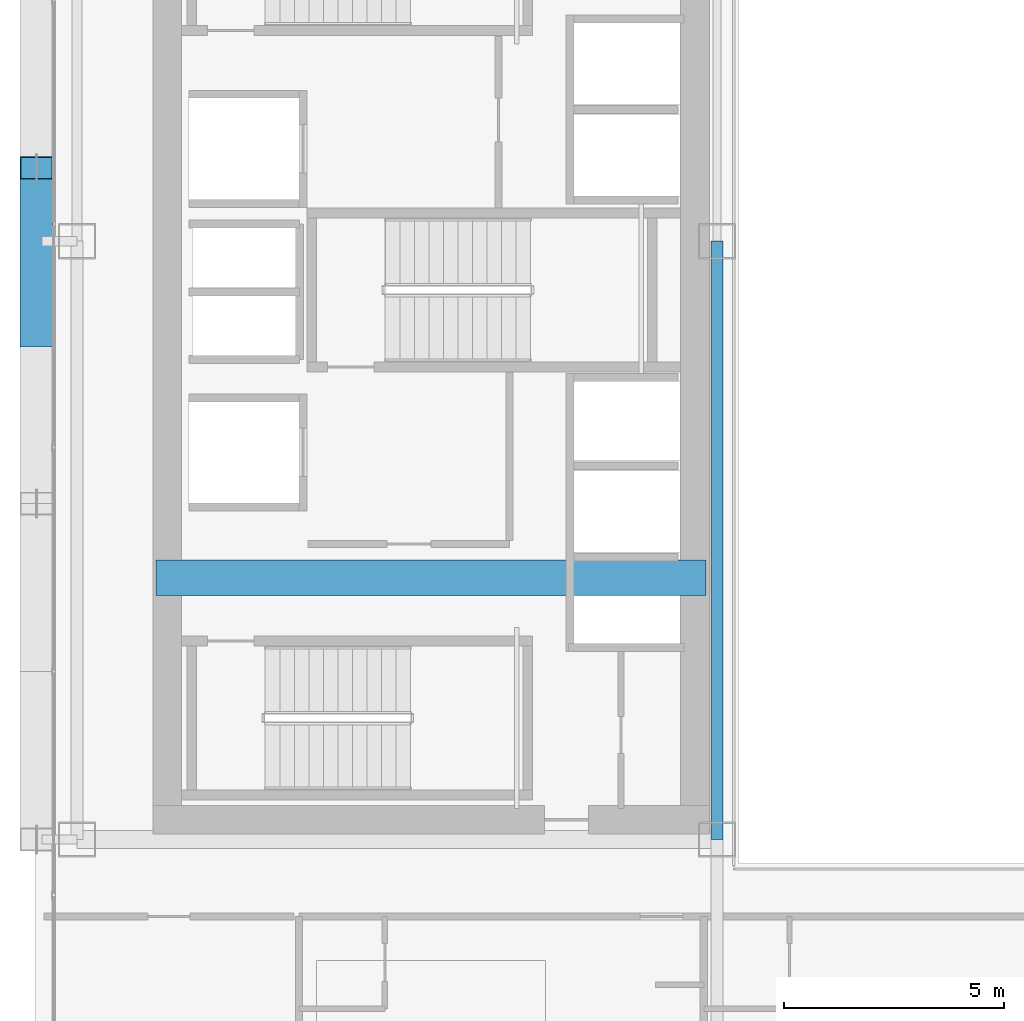
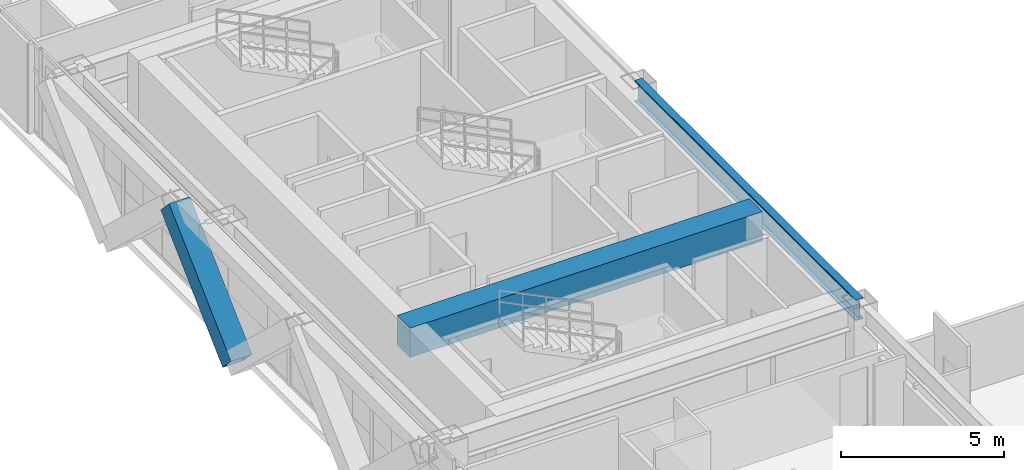
# One storey, part 7 of 35: 2 beams, 1 member.
"""IFC4 building model written with IfcOpenShell, lengths in metres."""

from ifc_helpers import new_model, si_unit, direction, frame, origin, origin_2d, place, context, subcontext, project, spatial, rectangle, hollow_rectangle, i_section, extrude, source, transform, mapped, material, material_profile, profile_set, type_object, element, save


model = new_model("IFC4")

# Units and contexts
model_context = context("Model", 3, precision=1e-05, world=origin(), true_north=direction((0.0, 1.0)))
body_context = subcontext(model_context, "Body", "Model", "MODEL_VIEW")
ifc_project = project(units=[si_unit("LENGTHUNIT", "METRE"), si_unit("AREAUNIT", "SQUARE_METRE"), si_unit("VOLUMEUNIT", "CUBIC_METRE"), si_unit("PLANEANGLEUNIT", "RADIAN"), si_unit("MASSUNIT", "GRAM", prefix="KILO")], contexts=[model_context])

# Site, building, storey
site_placement = place(None, origin())
site = spatial("IfcSite", under=ifc_project, at=site_placement, CompositionType="ELEMENT")
building_placement = place(site_placement, origin())
building = spatial("IfcBuilding", under=site, at=building_placement, Name="Ocotamira Hotel", CompositionType="ELEMENT")
storey_placement = place(building_placement, frame((0.0, 0.0, 115.199951171875)))
storey = spatial("IfcBuildingStorey", under=building, at=storey_placement, Name="L28", CompositionType="ELEMENT", Elevation=115.199951171875)

# Beams
ifc_material_1 = material(Name="Concrete C60/75", Category="concrete")
ifc_material_profile_1 = material_profile(ifc_material_1, rectangle(XDim=0.800048828125, YDim=1.10009765625, at=origin_2d()), Name="RC800X1100")
ifc_profile_set_1 = profile_set([ifc_material_profile_1], Name="Concrete C60/75")
beam_type_1 = type_object("IfcBeamType", Name="BM-LINK-RC800", PredefinedType="LINTEL", material=ifc_profile_set_1)
shared_shape_1 = source(origin(), body_context, "Body", "SweptSolid", [
    extrude(rectangle(XDim=0.800048828125, YDim=1.10009765625, at=origin_2d()), origin(), (0.0, 0.0, 1.0), 12.5),
])
beam_1_placement = place(storey_placement, frame((10.75, 20.5, 2.81005859375), z_axis=(1.0, 0.0, 0.0), x_axis=(0.0, 1.0, 0.0)))
element("IfcBeam", 1, at=beam_1_placement, inside=storey, type_object=beam_type_1, Name="L28 West Core Coupling Beam", PredefinedType="LINTEL", context=body_context, shape_type="MappedRepresentation", body=[
    mapped(shared_shape_1, transform((0.0, 0.0, 0.0), scale=1.0)),
])
ifc_material_2 = material(Name="Steel ASTM A992 Grade 50", Category="steel")
ifc_material_profile_2 = material_profile(ifc_material_2, i_section(OverallWidth=0.26611328125, OverallDepth=0.779052734375, WebThickness=0.0166015625, FlangeThickness=0.030029296875, FilletRadius=0.01806640625, at=origin_2d()), Name="W30X148")
ifc_profile_set_2 = profile_set([ifc_material_profile_2], Name="Steel ASTM A992 Grade 50")
beam_type_2 = type_object("IfcBeamType", Name="BM-GIRD-W30X148", PredefinedType="BEAM", material=ifc_profile_set_2)
shared_shape_2 = source(origin(), body_context, "Body", "SweptSolid", [
    extrude(i_section(OverallWidth=0.26611328125, OverallDepth=0.779052734375, WebThickness=0.0166015625, FlangeThickness=0.030029296875, FilletRadius=0.01806640625, at=origin_2d()), origin(), (0.0, 0.0, 1.0), 13.599853515625),
])
beam_2_placement = place(storey_placement, frame((23.5, 14.550048828125, 2.970458984375), z_axis=(0.0, 1.0, 0.0), x_axis=(-1.0, 0.0, 0.0)))
element("IfcBeam", 2, at=beam_2_placement, inside=storey, type_object=beam_type_2, Name="L28 Beam X23.5 Y14.55-28.15", PredefinedType="BEAM", context=body_context, shape_type="MappedRepresentation", body=[
    mapped(shared_shape_2, transform((0.0, 0.0, 0.0), scale=1.0)),
])

# Member
ifc_material_3 = material(Name="Pale-metal coated steel ASTM A913 Grade 65", Category="steel")
ifc_material_profile_3 = material_profile(ifc_material_3, hollow_rectangle(XDim=0.75, YDim=0.75, WallThickness=0.028076171875, at=origin_2d()), Name="BOX750X750X28")
ifc_profile_set_3 = profile_set([ifc_material_profile_3], Name="Pale-metal coated steel ASTM A913 Grade 65")
member_type = type_object("IfcMemberType", Name="MEM-EXO-BOX750", PredefinedType="BRACE", material=ifc_profile_set_3)
shared_shape_3 = source(origin(), body_context, "Body", "SweptSolid", [
    extrude(hollow_rectangle(XDim=0.75, YDim=0.75, WallThickness=0.028076171875, at=origin_2d()), origin(), (0.0, 0.0, 1.0), 5.24658203125),
])
member_placement = place(storey_placement, frame((8.030029296875, 26.0, -0.489990234375), z_axis=(0.0, 0.727442733726, 0.686168397078), x_axis=(-1.0, 0.0, 0.0)))
element("IfcMember", 3, at=member_placement, inside=storey, type_object=member_type, Name="L28 Exoskeleton Diagrid W1.2", PredefinedType="BRACE", context=body_context, shape_type="MappedRepresentation", body=[
    mapped(shared_shape_3, transform((0.0, 0.0, 0.0), scale=1.0)),
])

save(model, "model.ifc")
